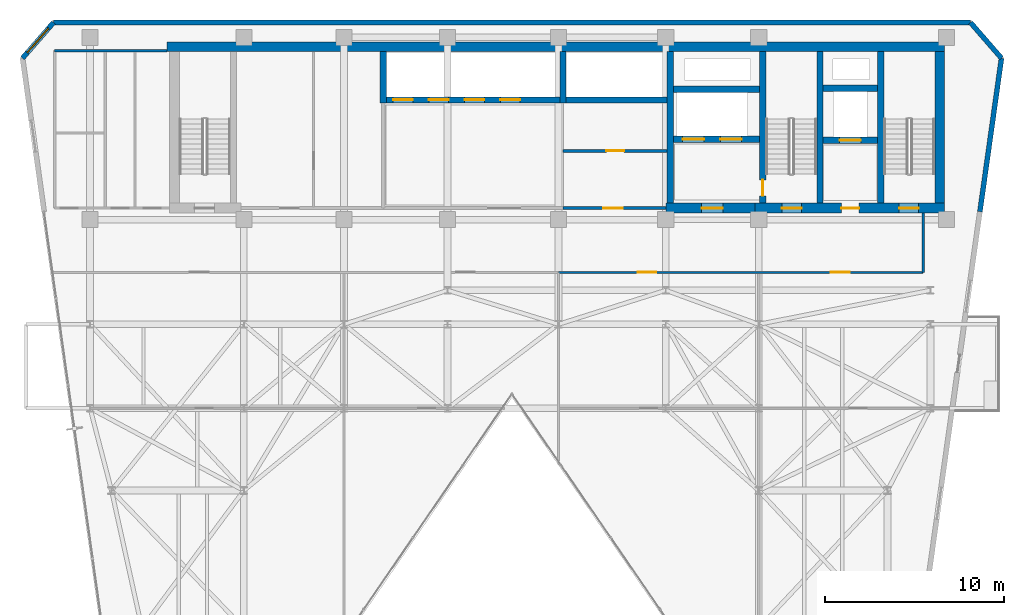
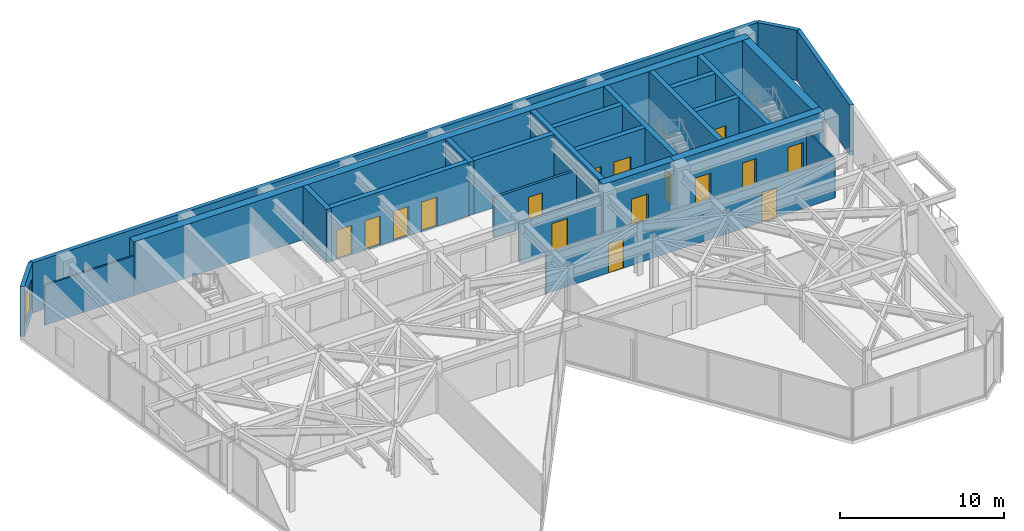
# One storey, part 23 of 26: 25 walls, 16 doors, 1 window, 17 openings.
"""IFC4 building model written with IfcOpenShell, lengths in metres."""

from ifc_helpers import new_model, si_unit, direction, frame, frame_2d, origin, place, context, subcontext, project, spatial, rectangle, extrude, material, layer, layer_set, type_object, element, fill, save


model = new_model("IFC4")

# Units and contexts
model_context = context("Model", 3, precision=1e-05, world=origin(), true_north=direction((0.0, 1.0)))
body_context = subcontext(model_context, "Body", "Model", "MODEL_VIEW")
ifc_project = project(units=[si_unit("LENGTHUNIT", "METRE"), si_unit("AREAUNIT", "SQUARE_METRE"), si_unit("VOLUMEUNIT", "CUBIC_METRE"), si_unit("PLANEANGLEUNIT", "RADIAN"), si_unit("MASSUNIT", "GRAM", prefix="KILO")], contexts=[model_context])

# Site, building, storey
site_placement = place(None, origin())
site = spatial("IfcSite", under=ifc_project, at=site_placement, CompositionType="ELEMENT")
building_placement = place(site_placement, origin())
building = spatial("IfcBuilding", under=site, at=building_placement, Name="Kravanh Interchange Tower", CompositionType="ELEMENT")
storey_placement = place(building_placement, frame((0.0, 0.0, 204.5)))
storey = spatial("IfcBuildingStorey", under=building, at=storey_placement, Name="L49", CompositionType="ELEMENT", Elevation=204.5)

# Wall
ifc_material_1 = material(Name="Double Acoustic Gypsum Board and Mineral Wool")
ifc_layer_1 = layer(ifc_material_1, 0.1201171875)
ifc_layer_set_1 = layer_set([ifc_layer_1], Name="Acoustic Office Drywall Partition 120mm")
wall_type_1 = type_object("IfcWallType", Name="Acoustic Office Drywall Partition 120mm", PredefinedType="PARTITIONING", material=ifc_layer_set_1)
wall_1_placement = place(storey_placement, frame((16.6201171875, 46.800048828125, 0.0), z_axis=(0.0, 0.0, 1.0), x_axis=(1.0, 0.0, 0.0)))
element("IfcWall", 1, at=wall_1_placement, inside=storey, type_object=wall_type_1, Name="L49 Restroom North Enclosure 9", PredefinedType="PARTITIONING", context=body_context, shape_type="SweptSolid", body=[
    extrude(rectangle(XDim=6.27978515625, YDim=0.1201171875, at=frame_2d((3.139892578125, 0.0))), origin(), (0.0, 0.0, 1.0), 2.98193359375),
])

# Wall, openings, doors
wall_2_placement = place(storey_placement, frame((44.800048828125, 34.39990234375, 0.0), z_axis=(0.0, 0.0, 1.0), x_axis=(1.0, 0.0, 0.0)))
wall_2 = element("IfcWall", 2, at=wall_2_placement, inside=storey, type_object=wall_type_1, Name="L49 Interior Partition 14", PredefinedType="PARTITIONING", context=body_context, shape_type="SweptSolid", body=[
    extrude(rectangle(XDim=20.39990234375, YDim=0.1201171875, at=frame_2d((10.199951171875, 0.0))), origin(), (0.0, 0.0, 1.0), 2.98193359375),
])
opening_1_placement = place(wall_2_placement, frame((4.431640625, 0.0, 0.0)))
opening_1 = element("IfcOpeningElement", 3, at=opening_1_placement, cuts=wall_2, Name="Opening D-105", PredefinedType="OPENING", context=body_context, shape_type="SweptSolid", body=[
    extrude(rectangle(XDim=1.050048828125, YDim=2.199951171875, at=frame_2d((0.52490234375, 1.10009765625))), frame((0.0, 0.070068359375, 0.0), z_axis=(0.0, -1.0, 0.0), x_axis=(1.0, 0.0, 0.0)), (0.0, 0.0, 1.0), 0.14013671875),
])
opening_2_placement = place(wall_2_placement, frame((15.234619140625, 0.0, 0.0)))
opening_2 = element("IfcOpeningElement", 4, at=opening_2_placement, cuts=wall_2, Name="Opening D-105", PredefinedType="OPENING", context=body_context, shape_type="SweptSolid", body=[
    extrude(rectangle(XDim=1.050048828125, YDim=2.199951171875, at=frame_2d((0.52490234375, 1.10009765625))), frame((0.0, 0.070068359375, 0.0), z_axis=(0.0, -1.0, 0.0), x_axis=(1.0, 0.0, 0.0)), (0.0, 0.0, 1.0), 0.14013671875),
])
ifc_material_2 = material(Name="Acoustic Glazed Oak and Aluminium", Category="aluminium")
door_type_1 = type_object("IfcDoorType", Name="Office Workplace Door 1050x2200", OperationType="NOTDEFINED", PredefinedType="DOOR", material=ifc_material_2)
door_1_placement = place(opening_1_placement, origin())
door_1 = element("IfcDoor", 5, at=door_1_placement, inside=storey, type_object=door_type_1, Name="L49 North Tea Kitchenette 13C Door", OperationType="SINGLE_SWING_LEFT", OverallHeight=2.199951171875, OverallWidth=1.050048828125, PredefinedType="DOOR", context=body_context, shape_type="SweptSolid", body=[
    extrude(rectangle(XDim=1.050048828125, YDim=2.199951171875, at=frame_2d((0.52490234375, 1.10009765625))), frame((0.0, 0.02490234375, 0.0), z_axis=(0.0, -1.0, 0.0), x_axis=(1.0, 0.0, 0.0)), (0.0, 0.0, 1.0), 0.050048828125),
])
fill(opening_1, door_1)
door_2_placement = place(opening_2_placement, origin())
door_2 = element("IfcDoor", 6, at=door_2_placement, inside=storey, type_object=door_type_1, Name="L49 East Balcony Lounge 13D Door", OperationType="SINGLE_SWING_LEFT", OverallHeight=2.199951171875, OverallWidth=1.050048828125, PredefinedType="DOOR", context=body_context, shape_type="SweptSolid", body=[
    extrude(rectangle(XDim=1.050048828125, YDim=2.199951171875, at=frame_2d((0.52490234375, 1.10009765625))), frame((0.0, 0.02490234375, 0.0), z_axis=(0.0, -1.0, 0.0), x_axis=(1.0, 0.0, 0.0)), (0.0, 0.0, 1.0), 0.050048828125),
])
fill(opening_2, door_2)

# Walls
wall_3_placement = place(storey_placement, frame((65.199951171875, 34.39990234375, 0.0), z_axis=(0.0, 0.0, 1.0), x_axis=(0.0, 1.0, 0.0)))
element("IfcWall", 7, at=wall_3_placement, inside=storey, type_object=wall_type_1, Name="L49 Interior Partition 15", PredefinedType="PARTITIONING", context=body_context, shape_type="SweptSolid", body=[
    extrude(rectangle(XDim=3.317138671875, YDim=0.1201171875, at=frame_2d((1.65869140625, 0.0))), origin(), (0.0, 0.0, 1.0), 2.98193359375),
])
ifc_material_3 = material(Name="Concrete C60/75", Category="concrete")
ifc_layer_2 = layer(ifc_material_3, 0.35009765625)
ifc_layer_set_2 = layer_set([ifc_layer_2], Name="Core Shear Wall Concrete C60/75 350mm")
wall_type_2 = type_object("IfcWallType", Name="Core Shear Wall Concrete C60/75 350mm", PredefinedType="SHEAR", material=ifc_layer_set_2)
for number, where, z_axis, x_axis, name in (
    (8, (62.824951171875, 38.27490234375, 0.0), (0.0, 0.0, 1.0), (0.0, 1.0, 0.0), "L49 Stair ST1 West Shear Wall"),
    (9, (59.425048828125, 38.27490234375, 0.0), (0.0, 0.0, 1.0), (0.0, 1.0, 0.0), "L49 Stair ST2 East Shear Wall"),
):
    element("IfcWall", number, at=place(storey_placement, frame(where, z_axis=z_axis, x_axis=x_axis)), inside=storey, type_object=wall_type_2, Name=name, PredefinedType="SHEAR", context=body_context, shape_type="SweptSolid", body=[
        extrude(rectangle(XDim=8.47509765625, YDim=0.35009765625, at=frame_2d((4.237548828125, 0.0))), origin(), (0.0, 0.0, 1.0), 4.0),
    ])

# Wall, opening, door
wall_4_placement = place(storey_placement, frame((56.22509765625, 38.27490234375, 0.0), z_axis=(0.0, 0.0, 1.0), x_axis=(0.0, 1.0, 0.0)))
wall_4 = element("IfcWall", 10, at=wall_4_placement, inside=storey, type_object=wall_type_2, Name="L49 Stair ST2 West Shear Wall", PredefinedType="SHEAR", context=body_context, shape_type="SweptSolid", body=[
    extrude(rectangle(XDim=8.47509765625, YDim=0.35009765625, at=frame_2d((4.237548828125, 0.0))), origin(), (0.0, 0.0, 1.0), 4.0),
])
opening_3_placement = place(wall_4_placement, frame((0.405029296875, 0.0, 0.0)))
opening_3 = element("IfcOpeningElement", 11, at=opening_3_placement, cuts=wall_4, Name="Opening D-STAIR-90", PredefinedType="OPENING", context=body_context, shape_type="SweptSolid", body=[
    extrude(rectangle(XDim=0.89990234375, YDim=2.14990234375, at=frame_2d((0.449951171875, 1.074951171875))), frame((0.0, 0.18505859375, 0.0), z_axis=(0.0, -1.0, 0.0), x_axis=(1.0, 0.0, 0.0)), (0.0, 0.0, 1.0), 0.3701171875),
])
ifc_material_4 = material(Name="Structural Steel S355", Category="steel")
door_type_2 = type_object("IfcDoorType", Name="Fire-Rated Stair Lobby Door 900x2150", OperationType="NOTDEFINED", PredefinedType="DOOR", material=ifc_material_4)
door_3_placement = place(opening_3_placement, origin())
door_3 = element("IfcDoor", 12, at=door_3_placement, inside=storey, type_object=door_type_2, Name="L49 Firefighting Lobby to Stair ST2 Door", OperationType="SINGLE_SWING_LEFT", OverallHeight=2.14990234375, OverallWidth=0.89990234375, PredefinedType="DOOR", context=body_context, shape_type="SweptSolid", body=[
    extrude(rectangle(XDim=0.89990234375, YDim=2.14990234375, at=frame_2d((0.449951171875, 1.074951171875))), frame((0.0, 0.02490234375, 0.0), z_axis=(0.0, -1.0, 0.0), x_axis=(1.0, 0.0, 0.0)), (0.0, 0.0, 1.0), 0.050048828125),
])
fill(opening_3, door_3)

wall_5_placement = place(storey_placement, frame((59.60009765625, 41.800048828125, 0.0), z_axis=(0.0, 0.0, 1.0), x_axis=(1.0, 0.0, 0.0)))
wall_5 = element("IfcWall", 13, at=wall_5_placement, inside=storey, type_object=wall_type_2, Name="L49 Service Lift Shaft South Wall", PredefinedType="SHEAR", context=body_context, shape_type="SweptSolid", body=[
    extrude(rectangle(XDim=3.0498046875, YDim=0.35009765625, at=frame_2d((1.52490234375, 0.0))), origin(), (0.0, 0.0, 1.0), 4.0),
])
opening_4_placement = place(wall_5_placement, frame((0.919921875, 0.0, 0.0)))
opening_4 = element("IfcOpeningElement", 14, at=opening_4_placement, cuts=wall_5, Name="Opening LD02", PredefinedType="OPENING", context=body_context, shape_type="SweptSolid", body=[
    extrude(rectangle(XDim=1.199951171875, YDim=2.199951171875, at=frame_2d((0.60009765625, 1.10009765625))), frame((0.0, 0.18505859375, 0.0), z_axis=(0.0, -1.0, 0.0), x_axis=(1.0, 0.0, 0.0)), (0.0, 0.0, 1.0), 0.3701171875),
])
ifc_material_5 = material(Name="Stainless Steel 316", Category="steel")
door_type_3 = type_object("IfcDoorType", Name="Fire and Service Lift Sliding Landing Door 1200x2200", OperationType="DOUBLE_DOOR_SLIDING", PredefinedType="DOOR", material=ifc_material_5)
door_4_placement = place(opening_4_placement, origin())
door_4 = element("IfcDoor", 15, at=door_4_placement, inside=storey, type_object=door_type_3, Name="L49 Lift LS-01 Landing Door", OperationType="DOUBLE_DOOR_SLIDING", OverallHeight=2.199951171875, OverallWidth=1.199951171875, PredefinedType="DOOR", context=body_context, shape_type="SweptSolid", body=[
    extrude(rectangle(XDim=1.199951171875, YDim=2.199951171875, at=frame_2d((0.60009765625, 1.10009765625))), frame((0.0, 0.02490234375, 0.0), z_axis=(0.0, -1.0, 0.0), x_axis=(1.0, 0.0, 0.0)), (0.0, 0.0, 1.0), 0.050048828125),
])
fill(opening_4, door_4)

# Wall
wall_6_placement = place(storey_placement, frame((59.60009765625, 44.699951171875, 0.0), z_axis=(0.0, 0.0, 1.0), x_axis=(1.0, 0.0, 0.0)))
element("IfcWall", 16, at=wall_6_placement, inside=storey, type_object=wall_type_2, Name="L49 Service Lift Shaft North Wall", PredefinedType="SHEAR", context=body_context, shape_type="SweptSolid", body=[
    extrude(rectangle(XDim=3.0498046875, YDim=0.35009765625, at=frame_2d((1.52490234375, 0.0))), origin(), (0.0, 0.0, 1.0), 4.0),
])

# Wall, openings, doors
wall_7_placement = place(storey_placement, frame((51.22509765625, 41.85009765625, 0.0), z_axis=(0.0, 0.0, 1.0), x_axis=(1.0, 0.0, 0.0)))
wall_7 = element("IfcWall", 17, at=wall_7_placement, inside=storey, type_object=wall_type_2, Name="L49 Fire Lift Shaft South Wall", PredefinedType="SHEAR", context=body_context, shape_type="SweptSolid", body=[
    extrude(rectangle(XDim=4.824951171875, YDim=0.35009765625, at=frame_2d((2.41259765625, 0.0))), origin(), (0.0, 0.0, 1.0), 4.0),
])
opening_5_placement = place(wall_7_placement, frame((0.52490234375, 0.0, 0.0)))
opening_5 = element("IfcOpeningElement", 18, at=opening_5_placement, cuts=wall_7, Name="Opening LD02", PredefinedType="OPENING", context=body_context, shape_type="SweptSolid", body=[
    extrude(rectangle(XDim=1.199951171875, YDim=2.199951171875, at=frame_2d((0.60009765625, 1.10009765625))), frame((0.0, 0.18505859375, 0.0), z_axis=(0.0, -1.0, 0.0), x_axis=(1.0, 0.0, 0.0)), (0.0, 0.0, 1.0), 0.3701171875),
])
opening_6_placement = place(wall_7_placement, frame((2.625, 0.0, 0.0)))
opening_6 = element("IfcOpeningElement", 19, at=opening_6_placement, cuts=wall_7, Name="Opening LD02", PredefinedType="OPENING", context=body_context, shape_type="SweptSolid", body=[
    extrude(rectangle(XDim=1.199951171875, YDim=2.199951171875, at=frame_2d((0.60009765625, 1.10009765625))), frame((0.0, 0.18505859375, 0.0), z_axis=(0.0, -1.0, 0.0), x_axis=(1.0, 0.0, 0.0)), (0.0, 0.0, 1.0), 0.3701171875),
])
door_5_placement = place(opening_5_placement, origin())
door_5 = element("IfcDoor", 20, at=door_5_placement, inside=storey, type_object=door_type_3, Name="L49 Lift FSAE-01 Landing Door", OperationType="DOUBLE_DOOR_SLIDING", OverallHeight=2.199951171875, OverallWidth=1.199951171875, PredefinedType="DOOR", context=body_context, shape_type="SweptSolid", body=[
    extrude(rectangle(XDim=1.199951171875, YDim=2.199951171875, at=frame_2d((0.60009765625, 1.10009765625))), frame((0.0, 0.02490234375, 0.0), z_axis=(0.0, -1.0, 0.0), x_axis=(1.0, 0.0, 0.0)), (0.0, 0.0, 1.0), 0.050048828125),
])
fill(opening_5, door_5)
door_6_placement = place(opening_6_placement, origin())
door_6 = element("IfcDoor", 21, at=door_6_placement, inside=storey, type_object=door_type_3, Name="L49 Lift FSAE-02 Landing Door", OperationType="DOUBLE_DOOR_SLIDING", OverallHeight=2.199951171875, OverallWidth=1.199951171875, PredefinedType="DOOR", context=body_context, shape_type="SweptSolid", body=[
    extrude(rectangle(XDim=1.199951171875, YDim=2.199951171875, at=frame_2d((0.60009765625, 1.10009765625))), frame((0.0, 0.02490234375, 0.0), z_axis=(0.0, -1.0, 0.0), x_axis=(1.0, 0.0, 0.0)), (0.0, 0.0, 1.0), 0.050048828125),
])
fill(opening_6, door_6)

# Walls
wall_8_placement = place(storey_placement, frame((51.22509765625, 44.64990234375, 0.0), z_axis=(0.0, 0.0, 1.0), x_axis=(1.0, 0.0, 0.0)))
element("IfcWall", 22, at=wall_8_placement, inside=storey, type_object=wall_type_2, Name="L49 Fire Lift Shaft North Wall", PredefinedType="SHEAR", context=body_context, shape_type="SweptSolid", body=[
    extrude(rectangle(XDim=4.824951171875, YDim=0.35009765625, at=frame_2d((2.41259765625, 0.0))), origin(), (0.0, 0.0, 1.0), 4.0),
])
wall_9_placement = place(storey_placement, frame((51.050048828125, 38.27490234375, 0.0), z_axis=(0.0, 0.0, 1.0), x_axis=(0.0, 1.0, 0.0)))
element("IfcWall", 23, at=wall_9_placement, inside=storey, type_object=wall_type_2, Name="L49 Firefighting Lobby West Wall", PredefinedType="SHEAR", context=body_context, shape_type="SweptSolid", body=[
    extrude(rectangle(XDim=8.47509765625, YDim=0.35009765625, at=frame_2d((4.237548828125, 0.0))), origin(), (0.0, 0.0, 1.0), 4.0),
])
wall_10_placement = place(storey_placement, frame((45.22509765625, 44.050048828125, 0.0), z_axis=(0.0, 0.0, 1.0), x_axis=(1.0, 0.0, 0.0)))
element("IfcWall", 24, at=wall_10_placement, inside=storey, type_object=wall_type_2, Name="L49 High-Rise Lift Shaft South Wall", PredefinedType="SHEAR", context=body_context, shape_type="SweptSolid", body=[
    extrude(rectangle(XDim=5.64990234375, YDim=0.35009765625, at=frame_2d((2.824951171875, 0.0))), origin(), (0.0, 0.0, 1.0), 4.0),
])
wall_11_placement = place(storey_placement, frame((45.050048828125, 43.875, 0.0), z_axis=(0.0, 0.0, 1.0), x_axis=(0.0, 1.0, 0.0)))
element("IfcWall", 25, at=wall_11_placement, inside=storey, type_object=wall_type_2, Name="L49 High-Rise Lift Shaft West Wall", PredefinedType="SHEAR", context=body_context, shape_type="SweptSolid", body=[
    extrude(rectangle(XDim=2.875, YDim=0.35009765625, at=frame_2d((1.4375, 0.0))), origin(), (0.0, 0.0, 1.0), 4.0),
])

# Wall, openings, doors
wall_12_placement = place(storey_placement, frame((35.175048828125, 44.050048828125, 0.0), z_axis=(0.0, 0.0, 1.0), x_axis=(1.0, 0.0, 0.0)))
wall_12 = element("IfcWall", 26, at=wall_12_placement, inside=storey, type_object=wall_type_2, Name="L49 Mid-Rise Lift Shaft South Wall", PredefinedType="SHEAR", context=body_context, shape_type="SweptSolid", body=[
    extrude(rectangle(XDim=9.699951171875, YDim=0.35009765625, at=frame_2d((4.85009765625, 0.0))), origin(), (0.0, 0.0, 1.0), 4.0),
])
opening_7_placement = place(wall_12_placement, frame((0.375, 0.0, 0.0)))
opening_7 = element("IfcOpeningElement", 27, at=opening_7_placement, cuts=wall_12, Name="Opening LD01", PredefinedType="OPENING", context=body_context, shape_type="SweptSolid", body=[
    extrude(rectangle(XDim=1.10009765625, YDim=2.199951171875, at=frame_2d((0.550048828125, 1.10009765625))), frame((0.0, 0.18505859375, 0.0), z_axis=(0.0, -1.0, 0.0), x_axis=(1.0, 0.0, 0.0)), (0.0, 0.0, 1.0), 0.3701171875),
])
opening_8_placement = place(wall_12_placement, frame((2.375, 0.0, 0.0)))
opening_8 = element("IfcOpeningElement", 28, at=opening_8_placement, cuts=wall_12, Name="Opening LD01", PredefinedType="OPENING", context=body_context, shape_type="SweptSolid", body=[
    extrude(rectangle(XDim=1.10009765625, YDim=2.199951171875, at=frame_2d((0.550048828125, 1.10009765625))), frame((0.0, 0.18505859375, 0.0), z_axis=(0.0, -1.0, 0.0), x_axis=(1.0, 0.0, 0.0)), (0.0, 0.0, 1.0), 0.3701171875),
])
opening_9_placement = place(wall_12_placement, frame((4.375, 0.0, 0.0)))
opening_9 = element("IfcOpeningElement", 29, at=opening_9_placement, cuts=wall_12, Name="Opening LD01", PredefinedType="OPENING", context=body_context, shape_type="SweptSolid", body=[
    extrude(rectangle(XDim=1.10009765625, YDim=2.199951171875, at=frame_2d((0.550048828125, 1.10009765625))), frame((0.0, 0.18505859375, 0.0), z_axis=(0.0, -1.0, 0.0), x_axis=(1.0, 0.0, 0.0)), (0.0, 0.0, 1.0), 0.3701171875),
])
opening_10_placement = place(wall_12_placement, frame((6.375, 0.0, 0.0)))
opening_10 = element("IfcOpeningElement", 30, at=opening_10_placement, cuts=wall_12, Name="Opening LD01", PredefinedType="OPENING", context=body_context, shape_type="SweptSolid", body=[
    extrude(rectangle(XDim=1.10009765625, YDim=2.199951171875, at=frame_2d((0.550048828125, 1.10009765625))), frame((0.0, 0.18505859375, 0.0), z_axis=(0.0, -1.0, 0.0), x_axis=(1.0, 0.0, 0.0)), (0.0, 0.0, 1.0), 0.3701171875),
])
ifc_material_6 = material(Name="Stainless Steel 304", Category="steel")
door_type_4 = type_object("IfcDoorType", Name="Passenger Lift Sliding Landing Door 1100x2200", OperationType="DOUBLE_DOOR_SLIDING", PredefinedType="DOOR", material=ifc_material_6)
door_7_placement = place(opening_7_placement, origin())
door_7 = element("IfcDoor", 31, at=door_7_placement, inside=storey, type_object=door_type_4, Name="L49 Lift LP-M1 Landing Door", OperationType="DOUBLE_DOOR_SLIDING", OverallHeight=2.199951171875, OverallWidth=1.10009765625, PredefinedType="DOOR", context=body_context, shape_type="SweptSolid", body=[
    extrude(rectangle(XDim=1.10009765625, YDim=2.199951171875, at=frame_2d((0.550048828125, 1.10009765625))), frame((0.0, 0.02490234375, 0.0), z_axis=(0.0, -1.0, 0.0), x_axis=(1.0, 0.0, 0.0)), (0.0, 0.0, 1.0), 0.050048828125),
])
fill(opening_7, door_7)
door_8_placement = place(opening_8_placement, origin())
door_8 = element("IfcDoor", 32, at=door_8_placement, inside=storey, type_object=door_type_4, Name="L49 Lift LP-M2 Landing Door", OperationType="DOUBLE_DOOR_SLIDING", OverallHeight=2.199951171875, OverallWidth=1.10009765625, PredefinedType="DOOR", context=body_context, shape_type="SweptSolid", body=[
    extrude(rectangle(XDim=1.10009765625, YDim=2.199951171875, at=frame_2d((0.550048828125, 1.10009765625))), frame((0.0, 0.02490234375, 0.0), z_axis=(0.0, -1.0, 0.0), x_axis=(1.0, 0.0, 0.0)), (0.0, 0.0, 1.0), 0.050048828125),
])
fill(opening_8, door_8)
door_9_placement = place(opening_9_placement, origin())
door_9 = element("IfcDoor", 33, at=door_9_placement, inside=storey, type_object=door_type_4, Name="L49 Lift LP-M3 Landing Door", OperationType="DOUBLE_DOOR_SLIDING", OverallHeight=2.199951171875, OverallWidth=1.10009765625, PredefinedType="DOOR", context=body_context, shape_type="SweptSolid", body=[
    extrude(rectangle(XDim=1.10009765625, YDim=2.199951171875, at=frame_2d((0.550048828125, 1.10009765625))), frame((0.0, 0.02490234375, 0.0), z_axis=(0.0, -1.0, 0.0), x_axis=(1.0, 0.0, 0.0)), (0.0, 0.0, 1.0), 0.050048828125),
])
fill(opening_9, door_9)
door_10_placement = place(opening_10_placement, origin())
door_10 = element("IfcDoor", 34, at=door_10_placement, inside=storey, type_object=door_type_4, Name="L49 Lift LP-M4 Landing Door", OperationType="DOUBLE_DOOR_SLIDING", OverallHeight=2.199951171875, OverallWidth=1.10009765625, PredefinedType="DOOR", context=body_context, shape_type="SweptSolid", body=[
    extrude(rectangle(XDim=1.10009765625, YDim=2.199951171875, at=frame_2d((0.550048828125, 1.10009765625))), frame((0.0, 0.02490234375, 0.0), z_axis=(0.0, -1.0, 0.0), x_axis=(1.0, 0.0, 0.0)), (0.0, 0.0, 1.0), 0.050048828125),
])
fill(opening_10, door_10)

# Walls
wall_13_placement = place(storey_placement, frame((35.0, 43.875, 0.0), z_axis=(0.0, 0.0, 1.0), x_axis=(0.0, 1.0, 0.0)))
element("IfcWall", 35, at=wall_13_placement, inside=storey, type_object=wall_type_2, Name="L49 Mid-Rise Lift Shaft West Wall", PredefinedType="SHEAR", context=body_context, shape_type="SweptSolid", body=[
    extrude(rectangle(XDim=2.875, YDim=0.35009765625, at=frame_2d((1.4375, 0.0))), origin(), (0.0, 0.0, 1.0), 4.0),
])
ifc_material_7 = material(Name="Concrete C70/85", Category="concrete")
ifc_layer_3 = layer(ifc_material_7, 0.550048828125)
ifc_layer_set_3 = layer_set([ifc_layer_3], Name="Core Shear Wall Concrete C70/85 550mm")
wall_type_3 = type_object("IfcWallType", Name="Core Shear Wall Concrete C70/85 550mm", PredefinedType="SHEAR", material=ifc_layer_set_3)
wall_14_placement = place(storey_placement, frame((22.89990234375, 47.02490234375, 0.0), z_axis=(0.0, 0.0, 1.0), x_axis=(1.0, 0.0, 0.0)))
element("IfcWall", 36, at=wall_14_placement, inside=storey, type_object=wall_type_3, Name="L49 North Core Shear Wall", PredefinedType="SHEAR", context=body_context, shape_type="SweptSolid", body=[
    extrude(rectangle(XDim=43.5, YDim=0.550048828125, at=frame_2d((21.75, 0.0))), origin(), (0.0, 0.0, 1.0), 4.0),
])

# Wall, openings, doors
wall_15_placement = place(storey_placement, frame((55.800048828125, 38.0, 0.0), z_axis=(0.0, 0.0, 1.0), x_axis=(1.0, 0.0, 0.0)))
wall_15 = element("IfcWall", 37, at=wall_15_placement, inside=storey, type_object=wall_type_3, Name="L49 East Core South Shear Wall", PredefinedType="SHEAR", context=body_context, shape_type="SweptSolid", body=[
    extrude(rectangle(XDim=10.599853515625, YDim=0.550048828125, at=frame_2d((5.2998046875, 0.0))), origin(), (0.0, 0.0, 1.0), 4.0),
])
opening_11_placement = place(wall_15_placement, frame((1.5, 0.0, 0.0)))
opening_11 = element("IfcOpeningElement", 38, at=opening_11_placement, cuts=wall_15, Name="Opening D-STAIR-110", PredefinedType="OPENING", context=body_context, shape_type="SweptSolid", body=[
    extrude(rectangle(XDim=1.10009765625, YDim=2.199951171875, at=frame_2d((0.550048828125, 1.10009765625))), frame((0.0, 0.28515625, 0.0), z_axis=(0.0, -1.0, 0.0), x_axis=(1.0, 0.0, 0.0)), (0.0, 0.0, 1.0), 0.570068359375),
])
opening_12_placement = place(wall_15_placement, frame((4.820068359375, 0.0, 0.0)))
opening_12 = element("IfcOpeningElement", 39, at=opening_12_placement, cuts=wall_15, Name="Opening D-HOTEL-100", PredefinedType="OPENING", context=body_context, shape_type="SweptSolid", body=[
    extrude(rectangle(XDim=1.0, YDim=2.14990234375, at=frame_2d((0.5, 1.074951171875))), frame((0.0, 0.28515625, 0.0), z_axis=(0.0, -1.0, 0.0), x_axis=(1.0, 0.0, 0.0)), (0.0, 0.0, 1.0), 0.570068359375),
])
opening_13_placement = place(wall_15_placement, frame((8.050048828125, 0.0, 0.0)))
opening_13 = element("IfcOpeningElement", 40, at=opening_13_placement, cuts=wall_15, Name="Opening D-STAIR-110", PredefinedType="OPENING", context=body_context, shape_type="SweptSolid", body=[
    extrude(rectangle(XDim=1.10009765625, YDim=2.199951171875, at=frame_2d((0.550048828125, 1.10009765625))), frame((0.0, 0.28515625, 0.0), z_axis=(0.0, -1.0, 0.0), x_axis=(1.0, 0.0, 0.0)), (0.0, 0.0, 1.0), 0.570068359375),
])
ifc_material_8 = material(Name="Structural Steel S355", Category="steel")
door_type_5 = type_object("IfcDoorType", Name="Fire-Rated Exit Stair Door 1100x2200", OperationType="NOTDEFINED", PredefinedType="DOOR", material=ifc_material_8)
door_11_placement = place(opening_11_placement, origin())
door_11 = element("IfcDoor", 41, at=door_11_placement, inside=storey, type_object=door_type_5, Name="L49 Exit Stair ST2 Door", OperationType="SINGLE_SWING_RIGHT", OverallHeight=2.199951171875, OverallWidth=1.10009765625, PredefinedType="DOOR", context=body_context, shape_type="SweptSolid", body=[
    extrude(rectangle(XDim=1.10009765625, YDim=2.199951171875, at=frame_2d((0.550048828125, 1.10009765625))), frame((0.0, 0.02490234375, 0.0), z_axis=(0.0, -1.0, 0.0), x_axis=(1.0, 0.0, 0.0)), (0.0, 0.0, 1.0), 0.050048828125),
])
fill(opening_11, door_11)
door_12_placement = place(opening_13_placement, origin())
door_12 = element("IfcDoor", 42, at=door_12_placement, inside=storey, type_object=door_type_5, Name="L49 Exit Stair ST1 Door", OperationType="SINGLE_SWING_RIGHT", OverallHeight=2.199951171875, OverallWidth=1.10009765625, PredefinedType="DOOR", context=body_context, shape_type="SweptSolid", body=[
    extrude(rectangle(XDim=1.10009765625, YDim=2.199951171875, at=frame_2d((0.550048828125, 1.10009765625))), frame((0.0, 0.02490234375, 0.0), z_axis=(0.0, -1.0, 0.0), x_axis=(1.0, 0.0, 0.0)), (0.0, 0.0, 1.0), 0.050048828125),
])
fill(opening_13, door_12)
ifc_material_9 = material(Name="Fire-Rated Solid Timber Leaf", Category="wood")
door_type_6 = type_object("IfcDoorType", Name="Fire-Rated Suite Entrance Door 1000x2150", OperationType="NOTDEFINED", PredefinedType="DOOR", material=ifc_material_9)
door_13_placement = place(opening_12_placement, origin())
door_13 = element("IfcDoor", 43, at=door_13_placement, inside=storey, type_object=door_type_6, Name="L49 Service Lift Lobby Door", OperationType="SINGLE_SWING_RIGHT", OverallHeight=2.14990234375, OverallWidth=1.0, PredefinedType="DOOR", context=body_context, shape_type="SweptSolid", body=[
    extrude(rectangle(XDim=1.0, YDim=2.14990234375, at=frame_2d((0.5, 1.074951171875))), frame((0.0, 0.02490234375, 0.0), z_axis=(0.0, -1.0, 0.0), x_axis=(1.0, 0.0, 0.0)), (0.0, 0.0, 1.0), 0.050048828125),
])
fill(opening_12, door_13)

# Wall
wall_16_placement = place(storey_placement, frame((66.125, 38.27490234375, 0.0), z_axis=(0.0, 0.0, 1.0), x_axis=(0.0, 1.0, 0.0)))
element("IfcWall", 44, at=wall_16_placement, inside=storey, type_object=wall_type_3, Name="L49 Stair ST1 East Shear Wall", PredefinedType="SHEAR", context=body_context, shape_type="SweptSolid", body=[
    extrude(rectangle(XDim=8.47509765625, YDim=0.550048828125, at=frame_2d((4.237548828125, 0.0))), origin(), (0.0, 0.0, 1.0), 4.0),
])

# Wall, opening, door
wall_17_placement = place(storey_placement, frame((50.800048828125, 38.0, 0.0), z_axis=(0.0, 0.0, 1.0), x_axis=(1.0, 0.0, 0.0)))
wall_17 = element("IfcWall", 45, at=wall_17_placement, inside=storey, type_object=wall_type_3, Name="L49 Firefighting Lobby South Shear Wall", PredefinedType="SHEAR", context=body_context, shape_type="SweptSolid", body=[
    extrude(rectangle(XDim=5.0, YDim=0.550048828125, at=frame_2d((2.5, 0.0))), origin(), (0.0, 0.0, 1.0), 4.0),
])
opening_14_placement = place(wall_17_placement, frame((2.0, 0.0, 0.0)))
opening_14 = element("IfcOpeningElement", 46, at=opening_14_placement, cuts=wall_17, Name="Opening D-FSAE-120", PredefinedType="OPENING", context=body_context, shape_type="SweptSolid", body=[
    extrude(rectangle(XDim=1.199951171875, YDim=2.199951171875, at=frame_2d((0.60009765625, 1.10009765625))), frame((0.0, 0.28515625, 0.0), z_axis=(0.0, -1.0, 0.0), x_axis=(1.0, 0.0, 0.0)), (0.0, 0.0, 1.0), 0.570068359375),
])
ifc_material_10 = material(Name="Structural Steel S355", Category="steel")
door_type_7 = type_object("IfcDoorType", Name="Fire-Rated Refuge and FSAE Door 1200x2200", OperationType="NOTDEFINED", PredefinedType="DOOR", material=ifc_material_10)
door_14_placement = place(opening_14_placement, origin())
door_14 = element("IfcDoor", 47, at=door_14_placement, inside=storey, type_object=door_type_7, Name="L49 Firefighting Lobby Corridor Door", OperationType="SINGLE_SWING_RIGHT", OverallHeight=2.199951171875, OverallWidth=1.199951171875, PredefinedType="DOOR", context=body_context, shape_type="SweptSolid", body=[
    extrude(rectangle(XDim=1.199951171875, YDim=2.199951171875, at=frame_2d((0.60009765625, 1.10009765625))), frame((0.0, 0.02490234375, 0.0), z_axis=(0.0, -1.0, 0.0), x_axis=(1.0, 0.0, 0.0)), (0.0, 0.0, 1.0), 0.050048828125),
])
fill(opening_14, door_14)

# Wall, opening, window
ifc_material_11 = material(Name="Insulated Precast Concrete C40/50 with Bronze Cladding", Category="concrete")
ifc_layer_4 = layer(ifc_material_11, 0.280029296875)
ifc_layer_set_4 = layer_set([ifc_layer_4], Name="Exterior Insulated Concrete C40/50 Bronze Spandrel Wall 280mm")
wall_type_4 = type_object("IfcWallType", Name="Exterior Insulated Concrete C40/50 Bronze Spandrel Wall 280mm", PredefinedType="STANDARD", material=ifc_layer_set_4)
wall_18_placement = place(storey_placement, frame((14.818603515625, 46.3828125, 0.0), z_axis=(0.0, 0.0, 1.0), x_axis=(0.656071351282, 0.754698868442, 0.0)))
wall_18 = element("IfcWall", 48, at=wall_18_placement, inside=storey, type_object=wall_type_4, Name="L49 Exterior Wall 2", PredefinedType="STANDARD", context=body_context, shape_type="SweptSolid", body=[
    extrude(rectangle(XDim=2.646240234375, YDim=0.280029296875, at=frame_2d((1.3232421875, 0.0))), origin(), (0.0, 0.0, 1.0), 3.7548828125),
])
opening_15_placement = place(wall_18_placement, frame((0.41552734375, 0.0, 0.64990234375)))
opening_15 = element("IfcOpeningElement", 49, at=opening_15_placement, cuts=wall_18, Name="Opening WN-180X210", PredefinedType="OPENING", context=body_context, shape_type="SweptSolid", body=[
    extrude(rectangle(XDim=1.800048828125, YDim=2.10009765625, at=frame_2d((0.89990234375, 1.050048828125))), frame((0.0, 0.14990234375, 0.0), z_axis=(0.0, -1.0, 0.0), x_axis=(1.0, 0.0, 0.0)), (0.0, 0.0, 1.0), 0.300048828125),
])
ifc_material_12 = material(Name="Thermally Broken Bronze Aluminium and Low-E Glass", Category="aluminium")
window_type = type_object("IfcWindowType", Name="Tower Pier Window 1800x2100", PartitioningType="SINGLE_PANEL", PredefinedType="WINDOW", material=ifc_material_12)
window_placement = place(opening_15_placement, origin())
window = element("IfcWindow", 50, at=window_placement, inside=storey, type_object=window_type, Name="L49 Corner Window 2", OverallHeight=2.10009765625, OverallWidth=1.800048828125, PartitioningType="SINGLE_PANEL", PredefinedType="WINDOW", context=body_context, shape_type="SweptSolid", body=[
    extrude(rectangle(XDim=1.800048828125, YDim=2.10009765625, at=frame_2d((0.89990234375, 1.050048828125))), frame((0.0, 0.030029296875, 0.0), z_axis=(0.0, -1.0, 0.0), x_axis=(1.0, 0.0, 0.0)), (0.0, 0.0, 1.0), 0.06005859375),
])
fill(opening_15, window)

# Walls
wall_19_placement = place(storey_placement, frame((16.5546875, 48.3798828125, 0.0), z_axis=(0.0, 0.0, 1.0), x_axis=(1.0, 0.0, 0.0)))
element("IfcWall", 51, at=wall_19_placement, inside=storey, type_object=wall_type_4, Name="L49 Exterior Wall 3", PredefinedType="STANDARD", context=body_context, shape_type="SweptSolid", body=[
    extrude(rectangle(XDim=51.29052734375, YDim=0.280029296875, at=frame_2d((25.645263671875, 0.0))), origin(), (0.0, 0.0, 1.0), 3.7548828125),
])
wall_20_placement = place(storey_placement, frame((67.84521484375, 48.3798828125, 0.0), z_axis=(0.0, 0.0, 1.0), x_axis=(0.656071351282, -0.754698868442, 0.0)))
element("IfcWall", 52, at=wall_20_placement, inside=storey, type_object=wall_type_4, Name="L49 Exterior Wall 4", PredefinedType="STANDARD", context=body_context, shape_type="SweptSolid", body=[
    extrude(rectangle(XDim=2.646240234375, YDim=0.280029296875, at=frame_2d((1.3232421875, 0.0))), origin(), (0.0, 0.0, 1.0), 3.7548828125),
])
wall_21_placement = place(storey_placement, frame((69.581298828125, 46.3828125, 0.0), z_axis=(0.0, 0.0, 1.0), x_axis=(-0.13918102754, -0.990266954701, 0.0)))
element("IfcWall", 53, at=wall_21_placement, inside=storey, type_object=wall_type_4, Name="L49 Exterior Wall 5", PredefinedType="STANDARD", context=body_context, shape_type="SweptSolid", body=[
    extrude(rectangle(XDim=8.667236328125, YDim=0.280029296875, at=frame_2d((4.33349609375, 0.0))), origin(), (0.0, 0.0, 1.0), 3.7548828125),
])

# Wall, opening, door
ifc_material_13 = material(Name="Autoclaved Aerated Concrete C30/37 Blockwork", Category="masonry")
ifc_layer_5 = layer(ifc_material_13, 0.179931640625)
ifc_layer_set_5 = layer_set([ifc_layer_5], Name="Fire-Rated Lobby and Corridor Wall Concrete C30/37 180mm")
wall_type_5 = type_object("IfcWallType", Name="Fire-Rated Lobby and Corridor Wall Concrete C30/37 180mm", PredefinedType="STANDARD", material=ifc_layer_set_5)
wall_22_placement = place(storey_placement, frame((45.050048828125, 38.0, 0.0), z_axis=(0.0, 0.0, 1.0), x_axis=(1.0, 0.0, 0.0)))
wall_22 = element("IfcWall", 54, at=wall_22_placement, inside=storey, type_object=wall_type_5, Name="L49 Core South Enclosure 1", PredefinedType="STANDARD", context=body_context, shape_type="SweptSolid", body=[
    extrude(rectangle(XDim=5.75, YDim=0.179931640625, at=frame_2d((2.875, 0.0))), origin(), (0.0, 0.0, 1.0), 2.98193359375),
])
opening_16_placement = place(wall_22_placement, frame((2.240478515625, 0.0, 0.0)))
opening_16 = element("IfcOpeningElement", 55, at=opening_16_placement, cuts=wall_22, Name="Opening D-SHAFT-110", PredefinedType="OPENING", context=body_context, shape_type="SweptSolid", body=[
    extrude(rectangle(XDim=1.10009765625, YDim=2.199951171875, at=frame_2d((0.550048828125, 1.10009765625))), frame((0.0, 0.10009765625, 0.0), z_axis=(0.0, -1.0, 0.0), x_axis=(1.0, 0.0, 0.0)), (0.0, 0.0, 1.0), 0.199951171875),
])
ifc_material_14 = material(Name="Fire-Rated Composite Timber Leaf", Category="wood")
door_type_8 = type_object("IfcDoorType", Name="Fire-Rated Core Support Door 1100x2200", OperationType="NOTDEFINED", PredefinedType="DOOR", material=ifc_material_14)
door_15_placement = place(opening_16_placement, origin())
door_15 = element("IfcDoor", 56, at=door_15_placement, inside=storey, type_object=door_type_8, Name="L49 Core Telecom Room Door", OperationType="SINGLE_SWING_LEFT", OverallHeight=2.199951171875, OverallWidth=1.10009765625, PredefinedType="DOOR", context=body_context, shape_type="SweptSolid", body=[
    extrude(rectangle(XDim=1.10009765625, YDim=2.199951171875, at=frame_2d((0.550048828125, 1.10009765625))), frame((0.0, 0.02490234375, 0.0), z_axis=(0.0, -1.0, 0.0), x_axis=(1.0, 0.0, 0.0)), (0.0, 0.0, 1.0), 0.050048828125),
])
fill(opening_16, door_15)

wall_23_placement = place(storey_placement, frame((45.050048828125, 41.199951171875, 0.0), z_axis=(0.0, 0.0, 1.0), x_axis=(1.0, 0.0, 0.0)))
wall_23 = element("IfcWall", 57, at=wall_23_placement, inside=storey, type_object=wall_type_5, Name="L49 Interior Partition 2", PredefinedType="STANDARD", context=body_context, shape_type="SweptSolid", body=[
    extrude(rectangle(XDim=5.81689453125, YDim=0.179931640625, at=frame_2d((2.908447265625, 0.0))), origin(), (0.0, 0.0, 1.0), 2.98193359375),
])
opening_17_placement = place(wall_23_placement, frame((2.425048828125, 0.0, 0.0)))
opening_17 = element("IfcOpeningElement", 58, at=opening_17_placement, cuts=wall_23, Name="Opening D-HOTEL-100", PredefinedType="OPENING", context=body_context, shape_type="SweptSolid", body=[
    extrude(rectangle(XDim=1.0, YDim=2.14990234375, at=frame_2d((0.5, 1.074951171875))), frame((0.0, 0.10009765625, 0.0), z_axis=(0.0, -1.0, 0.0), x_axis=(1.0, 0.0, 0.0)), (0.0, 0.0, 1.0), 0.199951171875),
])
door_16_placement = place(opening_17_placement, origin())
door_16 = element("IfcDoor", 59, at=door_16_placement, inside=storey, type_object=door_type_6, Name="L49 Core Telecom Inner Door", OperationType="SINGLE_SWING_RIGHT", OverallHeight=2.14990234375, OverallWidth=1.0, PredefinedType="DOOR", context=body_context, shape_type="SweptSolid", body=[
    extrude(rectangle(XDim=1.0, YDim=2.14990234375, at=frame_2d((0.5, 1.074951171875))), frame((0.0, 0.02490234375, 0.0), z_axis=(0.0, -1.0, 0.0), x_axis=(1.0, 0.0, 0.0)), (0.0, 0.0, 1.0), 0.050048828125),
])
fill(opening_17, door_16)

save(model, "model.ifc")
